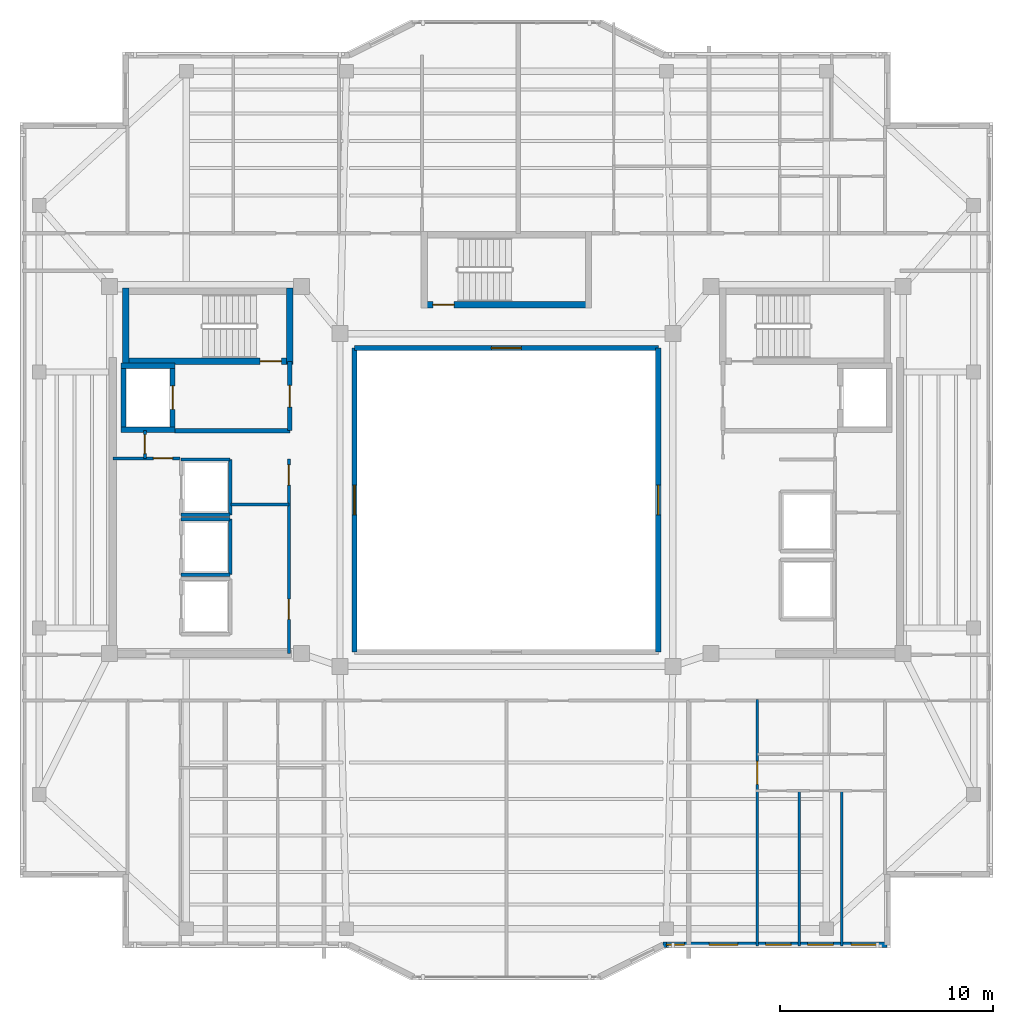
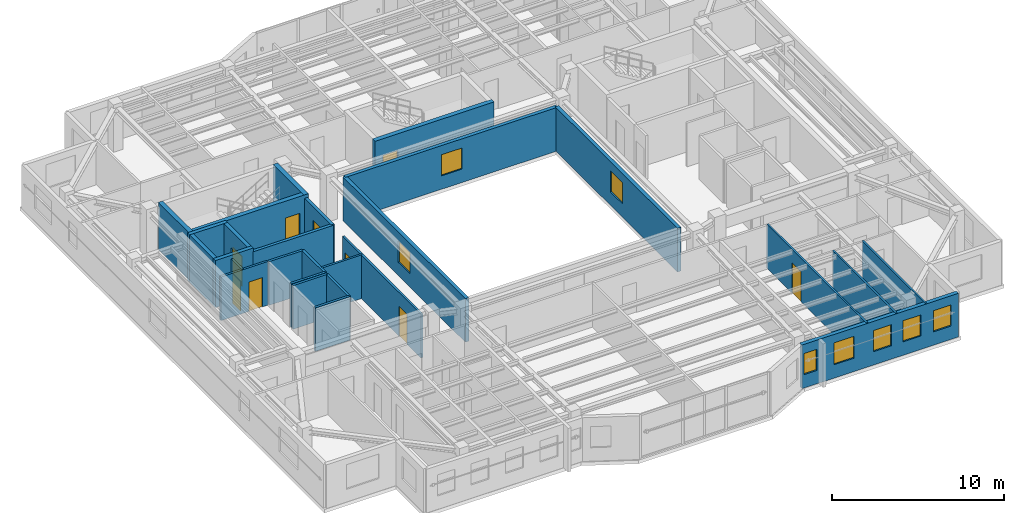
# One storey, part 7 of 14: 27 walls, 9 doors, 8 windows, 17 openings.
"""IFC4 building model written with IfcOpenShell, lengths in metres."""

import ifcopenshell
import ifcopenshell.guid

model = None  # the IFC model being written
_history = None  # IfcOwnerHistory: only IFC2X3 demands one
_inside = {}  # id of a spatial element -> (the spatial element, [elements in it])
_under = {}  # id of a project, library or spatial element -> (it, [spatial elements below it])
_declared = {}  # id of a project -> (the project, [libraries it declares])
_typed = {}  # id of a type object -> (the type object, [elements of that type])
_made_of = {}  # id of a material, layer set ... -> (it, [elements and type objects made of it])


def new_model(schema):
    """Start an empty IFC model of exactly this schema.

    Asked for "IFC4X3", IfcOpenShell would pick the latest addendum, in which some entities
    have other attributes; the version numbers below select the first issue.
    IFC2X3 requires an IfcOwnerHistory on every rooted entity: one is made here for all.
    """
    global model, _history
    if schema == "IFC4X3":
        model = ifcopenshell.file(schema_version=(4, 3, 0, 0))
    else:
        model = ifcopenshell.file(schema=schema)
    _inside.clear()
    _under.clear()
    _declared.clear()
    _typed.clear()
    _made_of.clear()
    _history = None
    if model.schema == "IFC2X3":
        org = make("IfcOrganization", Name="unknown")
        user = make(
            "IfcPersonAndOrganization",
            ThePerson=make("IfcPerson", FamilyName="unknown"),
            TheOrganization=org,
        )
        app = make(
            "IfcApplication",
            ApplicationDeveloper=org,
            Version="unknown",
            ApplicationFullName="unknown",
            ApplicationIdentifier="unknown",
        )
        _history = make(
            "IfcOwnerHistory",
            OwningUser=user,
            OwningApplication=app,
            ChangeAction="ADDED",
            CreationDate=0,
        )
    return model


def make(cls, **values):
    """One entity of the class cls with the attributes given. An attribute that is None is left unset."""
    return model.create_entity(
        cls, **{name: value for name, value in values.items() if value is not None}
    )


def rooted(cls, **values):
    """An entity with a GlobalId (a new one), such as an element, a storey or a relation."""
    return make(cls, GlobalId=ifcopenshell.guid.new(), OwnerHistory=_history, **values)


def si_unit(unit_type, name, prefix=None):
    """IfcSIUnit, for example si_unit("LENGTHUNIT", "METRE", prefix="MILLI")."""
    return make("IfcSIUnit", UnitType=unit_type, Prefix=prefix, Name=name)


def assignment(units):
    """IfcUnitAssignment: the units of a project."""
    return None if units is None else make("IfcUnitAssignment", Units=units)


def point(xyz):
    """IfcCartesianPoint."""
    return None if xyz is None else make("IfcCartesianPoint", Coordinates=xyz)


def direction(xyz):
    """IfcDirection."""
    return None if xyz is None else make("IfcDirection", DirectionRatios=xyz)


def frame(location, z_axis=None, x_axis=None):
    """IfcAxis2Placement3D, a coordinate frame: its origin and axes. An axis left out is left unset."""
    return make(
        "IfcAxis2Placement3D",
        Location=point(location),
        Axis=direction(z_axis),
        RefDirection=direction(x_axis),
    )


def frame_2d(location, x_axis=None):
    """IfcAxis2Placement2D, a coordinate frame in the plane: its origin and x axis."""
    return make(
        "IfcAxis2Placement2D", Location=point(location), RefDirection=direction(x_axis)
    )


def origin():
    """The frame at (0, 0, 0) with its axes left unset."""
    return frame((0.0, 0.0, 0.0))


def place(relative_to, where):
    """IfcLocalPlacement: puts the frame where relative to a parent placement (None: the world)."""
    return make(
        "IfcLocalPlacement", PlacementRelTo=relative_to, RelativePlacement=where
    )


def context(
    kind, dimensions, precision=None, world=None, true_north=None, identifier=None
):
    """IfcGeometricRepresentationContext, for example the 3D "Model" context."""
    return make(
        "IfcGeometricRepresentationContext",
        ContextIdentifier=identifier,
        ContextType=kind,
        CoordinateSpaceDimension=dimensions,
        Precision=precision,
        WorldCoordinateSystem=world,
        TrueNorth=true_north,
    )


def subcontext(parent, identifier, kind, view, scale=None):
    """IfcGeometricRepresentationSubContext, for example "Body" below "Model"."""
    return make(
        "IfcGeometricRepresentationSubContext",
        ContextIdentifier=identifier,
        ContextType=kind,
        ParentContext=parent,
        TargetScale=scale,
        TargetView=view,
    )


def project(units=None, contexts=None):
    """IfcProject with its units and contexts."""
    return rooted(
        "IfcProject",
        Name="project",
        RepresentationContexts=contexts,
        UnitsInContext=assignment(units),
    )


def spatial(cls, under=None, at=None, **own):
    """A site, building, storey or space (cls), placed at a placement, below another one or the project."""
    s = rooted(cls, ObjectPlacement=at, **own)
    if under is not None:
        _under.setdefault(under.id(), (under, []))[1].append(s)
    return s


def profile(cls, at=None, kind="AREA", **sizes):
    """A parametric profile (cls). Its sizes go by their IFC names, for example OverallWidth=200.0."""
    return make(cls, ProfileType=kind, Position=at, **sizes)


def rectangle(**sizes):
    """IfcRectangleProfileDef."""
    return profile("IfcRectangleProfileDef", **sizes)


def extrude(swept, where, along, depth):
    """IfcExtrudedAreaSolid: the profile swept, set in the frame where, extruded along a direction by depth."""
    return make(
        "IfcExtrudedAreaSolid",
        SweptArea=swept,
        Position=where,
        ExtrudedDirection=direction(along),
        Depth=depth,
    )


def shape(context_of_items, identifier, shape_type, items):
    """IfcShapeRepresentation: the items that make up one representation, for example the "Body"."""
    return make(
        "IfcShapeRepresentation",
        ContextOfItems=context_of_items,
        RepresentationIdentifier=identifier,
        RepresentationType=shape_type,
        Items=items,
    )


def material(Name=None, Category=None):
    """IfcMaterial."""
    return make("IfcMaterial", Name=Name, Category=Category)


def layer(
    of_material, thickness, ventilated=None, Name=None, Category=None, Priority=None
):
    """IfcMaterialLayer: one layer of a wall or slab, of a material (None: an air gap)."""
    return make(
        "IfcMaterialLayer",
        Material=of_material,
        LayerThickness=thickness,
        IsVentilated=ventilated,
        Name=Name,
        Category=Category,
        Priority=Priority,
    )


def layer_set(layers, Name=None):
    """IfcMaterialLayerSet."""
    return make("IfcMaterialLayerSet", MaterialLayers=layers, LayerSetName=Name)


def made_of(thing, what):
    """Note that an element or type object is made of a material, layer set ...; save() writes the relation."""
    if what is not None:
        _made_of.setdefault(what.id(), (what, []))[1].append(thing)
    return thing


def type_object(cls, material=None, **own):
    """A type object (cls), such as IfcWallType, which elements share."""
    return made_of(rooted(cls, **own), material)


def element(
    cls,
    number,
    at=None,
    inside=None,
    cuts=None,
    type_object=None,
    material=None,
    context=None,
    identifier="Body",
    shape_type=None,
    held_by="IfcProductDefinitionShape",
    body=None,
    shapes=None,
    **own,
):
    """One element of the class cls, such as IfcWall. Its Tag is "e" and its number.

    at: its placement. inside: the storey or other place that contains it. cuts: it is an
    opening in that element (IfcRelVoidsElement). A single representation is given by context,
    identifier, shape_type and body (its items); several are given by shapes. held_by: the class
    of the entity that holds the representations. save() writes the other relations.
    """
    e = rooted(cls, Tag="e%d" % number, ObjectPlacement=at, **own)
    if body is not None:
        shapes = [shape(context, identifier, shape_type, body)]
    if shapes is not None:
        e.Representation = make(held_by, Representations=shapes)
    if inside is not None:
        _inside.setdefault(inside.id(), (inside, []))[1].append(e)
    if cuts is not None:
        rooted(
            "IfcRelVoidsElement", RelatingBuildingElement=cuts, RelatedOpeningElement=e
        )
    if type_object is not None:
        _typed.setdefault(type_object.id(), (type_object, []))[1].append(e)
    return made_of(e, material)


def fill(opening, filler):
    """IfcRelFillsElement: the door or window that sits in an opening."""
    return rooted(
        "IfcRelFillsElement",
        RelatingOpeningElement=opening,
        RelatedBuildingElement=filler,
    )


def aggregate(whole, parts):
    """IfcRelAggregates: a whole, such as a stair, and the parts it consists of."""
    return rooted("IfcRelAggregates", RelatingObject=whole, RelatedObjects=parts)


def save(model, path):
    """Write the relations noted so far, then the file.

    IfcRelAggregates (storeys below a building ...), IfcRelContainedInSpatialStructure (elements
    in a storey), IfcRelDefinesByType, IfcRelAssociatesMaterial and IfcRelDeclares: one each for
    every whole, place, type object, material and project.
    """
    for whole, parts in _under.values():
        aggregate(whole, parts)
    for where, things in _inside.values():
        rooted(
            "IfcRelContainedInSpatialStructure",
            RelatedElements=things,
            RelatingStructure=where,
        )
    for kind, things in _typed.values():
        rooted("IfcRelDefinesByType", RelatedObjects=things, RelatingType=kind)
    for what, things in _made_of.values():
        rooted("IfcRelAssociatesMaterial", RelatedObjects=things, RelatingMaterial=what)
    for by, libraries in _declared.values():
        rooted("IfcRelDeclares", RelatingContext=by, RelatedDefinitions=libraries)
    model.write(path)


model = new_model("IFC4")

# Units and contexts
model_context = context("Model", 3, precision=1e-05, world=origin(), true_north=direction((0.0, 1.0)))
body_context = subcontext(model_context, "Body", "Model", "MODEL_VIEW")
ifc_project = project(units=[si_unit("LENGTHUNIT", "METRE"), si_unit("AREAUNIT", "SQUARE_METRE"), si_unit("VOLUMEUNIT", "CUBIC_METRE"), si_unit("PLANEANGLEUNIT", "RADIAN"), si_unit("MASSUNIT", "GRAM", prefix="KILO")], contexts=[model_context])

# Site, building, storey
site_placement = place(None, origin())
site = spatial("IfcSite", under=ifc_project, at=site_placement, CompositionType="ELEMENT")
building_placement = place(site_placement, origin())
building = spatial("IfcBuilding", under=site, at=building_placement, Name="Tarnavaz Court Tower", CompositionType="ELEMENT")
storey_placement = place(building_placement, frame((0.0, 0.0, 258.25)))
storey = spatial("IfcBuildingStorey", under=building, at=storey_placement, Name="L70", CompositionType="ELEMENT", Elevation=258.25)

# Wall
ifc_material_1 = material(Name="Concrete C50/60", Category="concrete")
ifc_layer_1 = layer(ifc_material_1, 0.25)
ifc_layer_set_1 = layer_set([ifc_layer_1], Name="Concrete C50/60")
wall_type_1 = type_object("IfcWallType", Name="WL-CORE-250-C50", PredefinedType="SHEAR", material=ifc_layer_set_1)
wall_1_placement = place(storey_placement, frame((-17.949951171875, 3.175048828125, 0.0), z_axis=(0.0, 0.0, 1.0), x_axis=(0.0, 1.0, 0.0)))
element("IfcWall", 1, at=wall_1_placement, inside=storey, type_object=wall_type_1, Name="L70 Lift FL-W1 Shaft Wall 017", PredefinedType="SHEAR", context=body_context, shape_type="SweptSolid", body=[
    extrude(rectangle(XDim=3.25, YDim=0.25, at=frame_2d((1.625, 0.0))), origin(), (0.0, 0.0, 1.0), 3.35009765625),
])

# Wall, opening, door
wall_2_placement = place(storey_placement, frame((-15.64990234375, 3.175048828125, 0.0), z_axis=(0.0, 0.0, 1.0), x_axis=(0.0, 1.0, 0.0)))
wall_2 = element("IfcWall", 2, at=wall_2_placement, inside=storey, type_object=wall_type_1, Name="L70 Lift FL-W1 Shaft Wall 018", PredefinedType="SHEAR", context=body_context, shape_type="SweptSolid", body=[
    extrude(rectangle(XDim=3.25, YDim=0.25, at=frame_2d((1.625, 0.0))), origin(), (0.0, 0.0, 1.0), 3.35009765625),
])
opening_1_placement = place(wall_2_placement, frame((1.074951171875, 0.0, 0.0)))
opening_1 = element("IfcOpeningElement", 3, at=opening_1_placement, cuts=wall_2, Name="Opening LD1", PredefinedType="OPENING", context=body_context, shape_type="SweptSolid", body=[
    extrude(rectangle(XDim=1.10009765625, YDim=2.14990234375, at=frame_2d((0.550048828125, 1.074951171875))), frame((0.0, 0.135009765625, 0.0), z_axis=(0.0, -1.0, 0.0), x_axis=(1.0, 0.0, 0.0)), (0.0, 0.0, 1.0), 0.27001953125),
])
ifc_material_2 = material(Name="Stainless Steel", Category="steel")
door_type_1 = type_object("IfcDoorType", Name="DR-LD-1100", OperationType="NOTDEFINED", PredefinedType="DOOR", material=ifc_material_2)
door_1_placement = place(opening_1_placement, origin())
door_1 = element("IfcDoor", 4, at=door_1_placement, inside=storey, type_object=door_type_1, Name="L70 Lift Landing Door LD-FL-W1", OperationType="SLIDING_TO_LEFT", OverallHeight=2.14990234375, OverallWidth=1.10009765625, PredefinedType="DOOR", context=body_context, shape_type="SweptSolid", body=[
    extrude(rectangle(XDim=1.10009765625, YDim=2.14990234375, at=frame_2d((0.550048828125, 1.074951171875))), frame((0.0, 0.02490234375, 0.0), z_axis=(0.0, -1.0, 0.0), x_axis=(1.0, 0.0, 0.0)), (0.0, 0.0, 1.0), 0.050048828125),
])
fill(opening_1, door_1)

# Walls
for number, where, z_axis, x_axis, name in (
    (5, (-18.074951171875, 3.300048828125, 0.0), (0.0, 0.0, 1.0), (1.0, 0.0, 0.0), "L70 Lift FL-W1 Shaft Wall 019"),
    (6, (-18.074951171875, 6.300048828125, 0.0), (0.0, 0.0, 1.0), (1.0, 0.0, 0.0), "L70 Lift FL-W1 Shaft Wall 020"),
):
    element("IfcWall", number, at=place(storey_placement, frame(where, z_axis=z_axis, x_axis=x_axis)), inside=storey, type_object=wall_type_1, Name=name, PredefinedType="SHEAR", context=body_context, shape_type="SweptSolid", body=[
        extrude(rectangle(XDim=2.550048828125, YDim=0.25, at=frame_2d((1.27490234375, 0.0))), origin(), (0.0, 0.0, 1.0), 3.35009765625),
    ])

# Wall, opening, door
ifc_layer_2 = layer(ifc_material_1, 0.300048828125)
ifc_layer_set_2 = layer_set([ifc_layer_2], Name="Concrete C50/60")
wall_type_2 = type_object("IfcWallType", Name="WL-CORE-300-C50", PredefinedType="SHEAR", material=ifc_layer_set_2)
wall_3_placement = place(storey_placement, frame((-18.0, 6.5, 0.0), z_axis=(0.0, 0.0, 1.0), x_axis=(1.0, 0.0, 0.0)))
wall_3 = element("IfcWall", 7, at=wall_3_placement, inside=storey, type_object=wall_type_2, Name="L70 West Stair Core Wall 002", PredefinedType="SHEAR", context=body_context, shape_type="SweptSolid", body=[
    extrude(rectangle(XDim=8.0, YDim=0.300048828125, at=frame_2d((4.0, 0.0))), origin(), (0.0, 0.0, 1.0), 3.35009765625),
])
opening_2_placement = place(wall_3_placement, frame((6.449951171875, 0.0, 0.0)))
opening_2 = element("IfcOpeningElement", 8, at=opening_2_placement, cuts=wall_3, Name="Opening D01", PredefinedType="OPENING", context=body_context, shape_type="SweptSolid", body=[
    extrude(rectangle(XDim=1.0, YDim=2.14990234375, at=frame_2d((0.5, 1.074951171875))), frame((0.0, 0.159912109375, 0.0), z_axis=(0.0, -1.0, 0.0), x_axis=(1.0, 0.0, 0.0)), (0.0, 0.0, 1.0), 0.320068359375),
])
ifc_material_3 = material(Name="Fire-Rated Hardwood Timber Core", Category="wood")
door_type_2 = type_object("IfcDoorType", Name="DR-FD90-1000", OperationType="NOTDEFINED", PredefinedType="DOOR", material=ifc_material_3)
door_2_placement = place(opening_2_placement, origin())
door_2 = element("IfcDoor", 9, at=door_2_placement, inside=storey, type_object=door_type_2, Name="L70 Stair ST-W1 Exit Door", OperationType="SINGLE_SWING_LEFT", OverallHeight=2.14990234375, OverallWidth=1.0, PredefinedType="DOOR", context=body_context, shape_type="SweptSolid", body=[
    extrude(rectangle(XDim=1.0, YDim=2.14990234375, at=frame_2d((0.5, 1.074951171875))), frame((0.0, 0.02490234375, 0.0), z_axis=(0.0, -1.0, 0.0), x_axis=(1.0, 0.0, 0.0)), (0.0, 0.0, 1.0), 0.050048828125),
])
fill(opening_2, door_2)

# Walls
for number, where, z_axis, x_axis, name in (
    (10, (-17.85009765625, 6.35009765625, 0.0), (0.0, 0.0, 1.0), (0.0, 1.0, 0.0), "L70 West Stair Core Wall 003"),
    (11, (-10.14990234375, 6.35009765625, 0.0), (0.0, 0.0, 1.0), (0.0, 1.0, 0.0), "L70 West Stair Core Wall 004"),
):
    element("IfcWall", number, at=place(storey_placement, frame(where, z_axis=z_axis, x_axis=x_axis)), inside=storey, type_object=wall_type_2, Name=name, PredefinedType="SHEAR", context=body_context, shape_type="SweptSolid", body=[
        extrude(rectangle(XDim=3.58984375, YDim=0.300048828125, at=frame_2d((1.794921875, 0.0))), origin(), (0.0, 0.0, 1.0), 3.35009765625),
    ])

# Wall, opening, door
wall_4_placement = place(storey_placement, frame((-4.0, 9.14990234375, 0.0), z_axis=(0.0, 0.0, 1.0), x_axis=(1.0, 0.0, 0.0)))
wall_4 = element("IfcWall", 12, at=wall_4_placement, inside=storey, type_object=wall_type_2, Name="L70 North Stair Core Wall 010", PredefinedType="SHEAR", context=body_context, shape_type="SweptSolid", body=[
    extrude(rectangle(XDim=8.0, YDim=0.300048828125, at=frame_2d((4.0, 0.0))), origin(), (0.0, 0.0, 1.0), 3.35009765625),
])
opening_3_placement = place(wall_4_placement, frame((0.550048828125, 0.0, 0.0)))
opening_3 = element("IfcOpeningElement", 13, at=opening_3_placement, cuts=wall_4, Name="Opening D01", PredefinedType="OPENING", context=body_context, shape_type="SweptSolid", body=[
    extrude(rectangle(XDim=1.0, YDim=2.14990234375, at=frame_2d((0.5, 1.074951171875))), frame((0.0, 0.159912109375, 0.0), z_axis=(0.0, -1.0, 0.0), x_axis=(1.0, 0.0, 0.0)), (0.0, 0.0, 1.0), 0.320068359375),
])
door_3_placement = place(opening_3_placement, origin())
door_3 = element("IfcDoor", 14, at=door_3_placement, inside=storey, type_object=door_type_2, Name="L70 Stair ST-N1 Exit Door", OperationType="SINGLE_SWING_LEFT", OverallHeight=2.14990234375, OverallWidth=1.0, PredefinedType="DOOR", context=body_context, shape_type="SweptSolid", body=[
    extrude(rectangle(XDim=1.0, YDim=2.14990234375, at=frame_2d((0.5, 1.074951171875))), frame((0.0, 0.02490234375, 0.0), z_axis=(0.0, -1.0, 0.0), x_axis=(1.0, 0.0, 0.0)), (0.0, 0.0, 1.0), 0.050048828125),
])
fill(opening_3, door_3)

# Wall, openings, windows
ifc_material_4 = material(Name="Precast Concrete C40/50", Category="concrete")
ifc_layer_3 = layer(ifc_material_4, 0.260009765625)
ifc_layer_set_3 = layer_set([ifc_layer_3], Name="Precast Concrete C40/50")
wall_type_3 = type_object("IfcWallType", Name="WL-EXT-260", PredefinedType="SOLIDWALL", material=ifc_layer_set_3)
wall_5_placement = place(storey_placement, frame((17.85009765625, -20.85009765625, 0.0), z_axis=(0.0, 0.0, 1.0), x_axis=(-1.0, 0.0, 0.0)))
wall_5 = element("IfcWall", 15, at=wall_5_placement, inside=storey, type_object=wall_type_3, Name="L70 Exterior Terracotta Facade Wall 15", PredefinedType="SOLIDWALL", context=body_context, shape_type="SweptSolid", body=[
    extrude(rectangle(XDim=10.5, YDim=0.260009765625, at=frame_2d((5.25, 0.0))), origin(), (0.0, 0.0, 1.0), 3.10009765625),
])
opening_4_placement = place(wall_5_placement, frame((0.488525390625, 0.0, 0.949951171875)))
opening_4 = element("IfcOpeningElement", 16, at=opening_4_placement, cuts=wall_5, Name="Opening W05", PredefinedType="OPENING", context=body_context, shape_type="SweptSolid", body=[
    extrude(rectangle(XDim=1.199951171875, YDim=1.5, at=frame_2d((0.60009765625, 0.75))), frame((0.0, 0.139892578125, 0.0), z_axis=(0.0, -1.0, 0.0), x_axis=(1.0, 0.0, 0.0)), (0.0, 0.0, 1.0), 0.280029296875),
])
opening_5_placement = place(wall_5_placement, frame((2.52490234375, 0.0, 0.949951171875)))
opening_5 = element("IfcOpeningElement", 17, at=opening_5_placement, cuts=wall_5, Name="Opening W05", PredefinedType="OPENING", context=body_context, shape_type="SweptSolid", body=[
    extrude(rectangle(XDim=1.199951171875, YDim=1.5, at=frame_2d((0.60009765625, 0.75))), frame((0.0, 0.139892578125, 0.0), z_axis=(0.0, -1.0, 0.0), x_axis=(1.0, 0.0, 0.0)), (0.0, 0.0, 1.0), 0.280029296875),
])
opening_6_placement = place(wall_5_placement, frame((4.50146484375, 0.0, 0.949951171875)))
opening_6 = element("IfcOpeningElement", 18, at=opening_6_placement, cuts=wall_5, Name="Opening W05", PredefinedType="OPENING", context=body_context, shape_type="SweptSolid", body=[
    extrude(rectangle(XDim=1.199951171875, YDim=1.5, at=frame_2d((0.60009765625, 0.75))), frame((0.0, 0.139892578125, 0.0), z_axis=(0.0, -1.0, 0.0), x_axis=(1.0, 0.0, 0.0)), (0.0, 0.0, 1.0), 0.280029296875),
])
opening_7_placement = place(wall_5_placement, frame((7.0, 0.0, 0.949951171875)))
opening_7 = element("IfcOpeningElement", 19, at=opening_7_placement, cuts=wall_5, Name="Opening W04", PredefinedType="OPENING", context=body_context, shape_type="SweptSolid", body=[
    extrude(rectangle(XDim=1.35009765625, YDim=1.550048828125, at=frame_2d((0.675048828125, 0.77490234375))), frame((0.0, 0.139892578125, 0.0), z_axis=(0.0, -1.0, 0.0), x_axis=(1.0, 0.0, 0.0)), (0.0, 0.0, 1.0), 0.280029296875),
])
opening_8_placement = place(wall_5_placement, frame((9.5048828125, 0.0, 0.949951171875)))
opening_8 = element("IfcOpeningElement", 20, at=opening_8_placement, cuts=wall_5, Name="Opening W15", PredefinedType="OPENING", context=body_context, shape_type="SweptSolid", body=[
    extrude(rectangle(XDim=0.85009765625, YDim=1.5, at=frame_2d((0.425048828125, 0.75))), frame((0.0, 0.139892578125, 0.0), z_axis=(0.0, -1.0, 0.0), x_axis=(1.0, 0.0, 0.0)), (0.0, 0.0, 1.0), 0.280029296875),
])
ifc_material_5 = material(Name="Double-Glazed Solar Low-E Glass", Category="glass")
window_type_1 = type_object("IfcWindowType", Name="WN-APT-1200", PartitioningType="SINGLE_PANEL", PredefinedType="WINDOW", material=ifc_material_5)
window_1_placement = place(opening_4_placement, origin())
window_1 = element("IfcWindow", 21, at=window_1_placement, inside=storey, type_object=window_type_1, Name="L70 Flat 05 Bedroom 3 Window", OverallHeight=1.5, OverallWidth=1.199951171875, PartitioningType="SINGLE_PANEL", PredefinedType="WINDOW", context=body_context, shape_type="SweptSolid", body=[
    extrude(rectangle(XDim=1.199951171875, YDim=1.5, at=frame_2d((0.60009765625, 0.75))), frame((0.0, 0.030029296875, 0.0), z_axis=(0.0, -1.0, 0.0), x_axis=(1.0, 0.0, 0.0)), (0.0, 0.0, 1.0), 0.06005859375),
])
fill(opening_4, window_1)
window_2_placement = place(opening_5_placement, origin())
window_2 = element("IfcWindow", 22, at=window_2_placement, inside=storey, type_object=window_type_1, Name="L70 Flat 05 Bedroom 2 Window", OverallHeight=1.5, OverallWidth=1.199951171875, PartitioningType="SINGLE_PANEL", PredefinedType="WINDOW", context=body_context, shape_type="SweptSolid", body=[
    extrude(rectangle(XDim=1.199951171875, YDim=1.5, at=frame_2d((0.60009765625, 0.75))), frame((0.0, 0.030029296875, 0.0), z_axis=(0.0, -1.0, 0.0), x_axis=(1.0, 0.0, 0.0)), (0.0, 0.0, 1.0), 0.06005859375),
])
fill(opening_5, window_2)
window_3_placement = place(opening_6_placement, origin())
window_3 = element("IfcWindow", 23, at=window_3_placement, inside=storey, type_object=window_type_1, Name="L70 Flat 05 Principal Bedroom Window", OverallHeight=1.5, OverallWidth=1.199951171875, PartitioningType="SINGLE_PANEL", PredefinedType="WINDOW", context=body_context, shape_type="SweptSolid", body=[
    extrude(rectangle(XDim=1.199951171875, YDim=1.5, at=frame_2d((0.60009765625, 0.75))), frame((0.0, 0.030029296875, 0.0), z_axis=(0.0, -1.0, 0.0), x_axis=(1.0, 0.0, 0.0)), (0.0, 0.0, 1.0), 0.06005859375),
])
fill(opening_6, window_3)
window_type_2 = type_object("IfcWindowType", Name="WN-APT-1350", PartitioningType="SINGLE_PANEL", PredefinedType="WINDOW", material=ifc_material_5)
window_4_placement = place(opening_7_placement, origin())
window_4 = element("IfcWindow", 24, at=window_4_placement, inside=storey, type_object=window_type_2, Name="L70 Flat 05 Living and Dining Room Window", OverallHeight=1.550048828125, OverallWidth=1.35009765625, PartitioningType="SINGLE_PANEL", PredefinedType="WINDOW", context=body_context, shape_type="SweptSolid", body=[
    extrude(rectangle(XDim=1.35009765625, YDim=1.550048828125, at=frame_2d((0.675048828125, 0.77490234375))), frame((0.0, 0.030029296875, 0.0), z_axis=(0.0, -1.0, 0.0), x_axis=(1.0, 0.0, 0.0)), (0.0, 0.0, 1.0), 0.06005859375),
])
fill(opening_7, window_4)
window_type_3 = type_object("IfcWindowType", Name="WN-APT-850", PartitioningType="SINGLE_PANEL", PredefinedType="WINDOW", material=ifc_material_5)
window_5_placement = place(opening_8_placement, origin())
window_5 = element("IfcWindow", 25, at=window_5_placement, inside=storey, type_object=window_type_3, Name="L70 South Courtyard Reading Room Window", OverallHeight=1.5, OverallWidth=0.85009765625, PartitioningType="SINGLE_PANEL", PredefinedType="WINDOW", context=body_context, shape_type="SweptSolid", body=[
    extrude(rectangle(XDim=0.85009765625, YDim=1.5, at=frame_2d((0.425048828125, 0.75))), frame((0.0, 0.030029296875, 0.0), z_axis=(0.0, -1.0, 0.0), x_axis=(1.0, 0.0, 0.0)), (0.0, 0.0, 1.0), 0.06005859375),
])
fill(opening_8, window_5)

# Wall
ifc_material_6 = material(Name="Autoclaved Aerated Concrete Blockwork", Category="masonry")
ifc_layer_4 = layer(ifc_material_6, 0.199951171875)
ifc_layer_set_4 = layer_set([ifc_layer_4], Name="Autoclaved Aerated Concrete Blockwork")
wall_type_4 = type_object("IfcWallType", Name="WL-FIRE-200", PredefinedType="SOLIDWALL", material=ifc_layer_set_4)
wall_6_placement = place(storey_placement, frame((-15.550048828125, 3.25, 0.0), z_axis=(0.0, 0.0, 1.0), x_axis=(1.0, 0.0, 0.0)))
element("IfcWall", 26, at=wall_6_placement, inside=storey, type_object=wall_type_4, Name="L70 West Firefighting Lobby Wall 013", PredefinedType="SOLIDWALL", context=body_context, shape_type="SweptSolid", body=[
    extrude(rectangle(XDim=5.400146484375, YDim=0.199951171875, at=frame_2d((2.7001953125, 0.0))), origin(), (0.0, 0.0, 1.0), 3.10009765625),
])

# Wall, opening, door
wall_7_placement = place(storey_placement, frame((-10.14990234375, 3.25, 0.0), z_axis=(0.0, 0.0, 1.0), x_axis=(0.0, 1.0, 0.0)))
wall_7 = element("IfcWall", 27, at=wall_7_placement, inside=storey, type_object=wall_type_4, Name="L70 West Firefighting Lobby Wall 014", PredefinedType="SOLIDWALL", context=body_context, shape_type="SweptSolid", body=[
    extrude(rectangle(XDim=3.25, YDim=0.199951171875, at=frame_2d((1.625, 0.0))), origin(), (0.0, 0.0, 1.0), 3.10009765625),
])
opening_9_placement = place(wall_7_placement, frame((1.10009765625, 0.0, 0.0)))
opening_9 = element("IfcOpeningElement", 28, at=opening_9_placement, cuts=wall_7, Name="Opening D05", PredefinedType="OPENING", context=body_context, shape_type="SweptSolid", body=[
    extrude(rectangle(XDim=1.02001953125, YDim=2.14990234375, at=frame_2d((0.510009765625, 1.074951171875))), frame((0.0, 0.10986328125, 0.0), z_axis=(0.0, -1.0, 0.0), x_axis=(1.0, 0.0, 0.0)), (0.0, 0.0, 1.0), 0.219970703125),
])
door_type_3 = type_object("IfcDoorType", Name="DR-FD60-1000", OperationType="NOTDEFINED", PredefinedType="DOOR", material=ifc_material_3)
door_4_placement = place(opening_9_placement, origin())
door_4 = element("IfcDoor", 29, at=door_4_placement, inside=storey, type_object=door_type_3, Name="L70 West Firefighting Lobby Door", OperationType="SINGLE_SWING_RIGHT", OverallHeight=2.14990234375, OverallWidth=1.02001953125, PredefinedType="DOOR", context=body_context, shape_type="SweptSolid", body=[
    extrude(rectangle(XDim=1.02001953125, YDim=2.14990234375, at=frame_2d((0.510009765625, 1.074951171875))), frame((0.0, 0.02490234375, 0.0), z_axis=(0.0, -1.0, 0.0), x_axis=(1.0, 0.0, 0.0)), (0.0, 0.0, 1.0), 0.050048828125),
])
fill(opening_9, door_4)

ifc_material_7 = material(Name="Moisture-Resistant Gypsum Board Partition", Category="masonry")
ifc_layer_5 = layer(ifc_material_7, 0.1201171875)
ifc_layer_set_5 = layer_set([ifc_layer_5], Name="Moisture-Resistant Gypsum Board Partition")
wall_type_5 = type_object("IfcWallType", Name="WL-PART-120", PredefinedType="PARTITIONING", material=ifc_layer_set_5)
wall_8_placement = place(storey_placement, frame((11.760009765625, -20.89990234375, 0.0), z_axis=(0.0, 0.0, 1.0), x_axis=(0.0, 1.0, 0.0)))
wall_8 = element("IfcWall", 30, at=wall_8_placement, inside=storey, type_object=wall_type_5, Name="L70 Interior Partition 082", PredefinedType="PARTITIONING", context=body_context, shape_type="SweptSolid", body=[
    extrude(rectangle(XDim=11.559814453125, YDim=0.1201171875, at=frame_2d((5.77978515625, 0.0))), origin(), (0.0, 0.0, 1.0), 3.10009765625),
])
opening_10_placement = place(wall_8_placement, frame((7.56494140625, 0.0, 0.0)))
opening_10 = element("IfcOpeningElement", 31, at=opening_10_placement, cuts=wall_8, Name="Opening D12", PredefinedType="OPENING", context=body_context, shape_type="SweptSolid", body=[
    extrude(rectangle(XDim=1.080078125, YDim=2.14990234375, at=frame_2d((0.5400390625, 1.074951171875))), frame((0.0, 0.070068359375, 0.0), z_axis=(0.0, -1.0, 0.0), x_axis=(1.0, 0.0, 0.0)), (0.0, 0.0, 1.0), 0.14013671875),
])
ifc_material_8 = material(Name="Engineered Oak Timber", Category="wood")
door_type_4 = type_object("IfcDoorType", Name="DR-INT-1100", OperationType="NOTDEFINED", PredefinedType="DOOR", material=ifc_material_8)
door_5_placement = place(opening_10_placement, origin())
door_5 = element("IfcDoor", 32, at=door_5_placement, inside=storey, type_object=door_type_4, Name="L70 Flat 05 Foyer Door", OperationType="SINGLE_SWING_LEFT", OverallHeight=2.14990234375, OverallWidth=1.080078125, PredefinedType="DOOR", context=body_context, shape_type="SweptSolid", body=[
    extrude(rectangle(XDim=1.080078125, YDim=2.14990234375, at=frame_2d((0.5400390625, 1.074951171875))), frame((0.0, 0.02490234375, 0.0), z_axis=(0.0, -1.0, 0.0), x_axis=(1.0, 0.0, 0.0)), (0.0, 0.0, 1.0), 0.050048828125),
])
fill(opening_10, door_5)

# Walls
for number, where, z_axis, x_axis, name in (
    (33, (13.737060546875, -20.89990234375, 0.0), (0.0, 0.0, 1.0), (0.0, 1.0, 0.0), "L70 Interior Partition 087"),
    (34, (15.712890625, -20.89990234375, 0.0), (0.0, 0.0, 1.0), (0.0, 1.0, 0.0), "L70 Interior Partition 088"),
):
    element("IfcWall", number, at=place(storey_placement, frame(where, z_axis=z_axis, x_axis=x_axis)), inside=storey, type_object=wall_type_5, Name=name, PredefinedType="PARTITIONING", context=body_context, shape_type="SweptSolid", body=[
        extrude(rectangle(XDim=7.33984375, YDim=0.1201171875, at=frame_2d((3.669921875, 0.0))), origin(), (0.0, 0.0, 1.0), 3.10009765625),
    ])

# Wall, opening, door
ifc_material_9 = material(Name="Gypsum Plasterboard Acoustic Partition", Category="masonry")
ifc_layer_6 = layer(ifc_material_9, 0.139892578125)
ifc_layer_set_6 = layer_set([ifc_layer_6], Name="Gypsum Plasterboard Acoustic Partition")
wall_type_6 = type_object("IfcWallType", Name="WL-PART-150", PredefinedType="PARTITIONING", material=ifc_layer_set_6)
wall_9_placement = place(storey_placement, frame((-18.449951171875, 1.949951171875, 0.0), z_axis=(0.0, 0.0, 1.0), x_axis=(1.0, 0.0, 0.0)))
wall_9 = element("IfcWall", 35, at=wall_9_placement, inside=storey, type_object=wall_type_6, Name="L70 Interior Partition 049", PredefinedType="PARTITIONING", context=body_context, shape_type="SweptSolid", body=[
    extrude(rectangle(XDim=3.14990234375, YDim=0.139892578125, at=frame_2d((1.574951171875, 0.0))), origin(), (0.0, 0.0, 1.0), 3.10009765625),
])
opening_11_placement = place(wall_9_placement, frame((1.89990234375, 0.0, 0.0)))
opening_11 = element("IfcOpeningElement", 36, at=opening_11_placement, cuts=wall_9, Name="Opening D09", PredefinedType="OPENING", context=body_context, shape_type="SweptSolid", body=[
    extrude(rectangle(XDim=0.89990234375, YDim=2.080078125, at=frame_2d((0.449951171875, 1.0400390625))), frame((0.0, 0.079833984375, 0.0), z_axis=(0.0, -1.0, 0.0), x_axis=(1.0, 0.0, 0.0)), (0.0, 0.0, 1.0), 0.159912109375),
])
door_type_5 = type_object("IfcDoorType", Name="DR-FD30-900", OperationType="NOTDEFINED", PredefinedType="DOOR", material=ifc_material_3)
door_6_placement = place(opening_11_placement, origin())
door_6 = element("IfcDoor", 37, at=door_6_placement, inside=storey, type_object=door_type_5, Name="L70 West Sky Store Door", OperationType="SINGLE_SWING_RIGHT", OverallHeight=2.080078125, OverallWidth=0.89990234375, PredefinedType="DOOR", context=body_context, shape_type="SweptSolid", body=[
    extrude(rectangle(XDim=0.89990234375, YDim=2.080078125, at=frame_2d((0.449951171875, 1.0400390625))), frame((0.0, 0.02490234375, 0.0), z_axis=(0.0, -1.0, 0.0), x_axis=(1.0, 0.0, 0.0)), (0.0, 0.0, 1.0), 0.050048828125),
])
fill(opening_11, door_6)

wall_10_placement = place(storey_placement, frame((-16.949951171875, 1.949951171875, 0.0), z_axis=(0.0, 0.0, 1.0), x_axis=(0.0, 1.0, 0.0)))
wall_10 = element("IfcWall", 38, at=wall_10_placement, inside=storey, type_object=wall_type_6, Name="L70 Interior Partition 050", PredefinedType="PARTITIONING", context=body_context, shape_type="SweptSolid", body=[
    extrude(rectangle(XDim=1.300048828125, YDim=0.139892578125, at=frame_2d((0.64990234375, 0.0))), origin(), (0.0, 0.0, 1.0), 3.10009765625),
])
opening_12_placement = place(wall_10_placement, frame((0.219970703125, 0.0, 0.0)))
opening_12 = element("IfcOpeningElement", 39, at=opening_12_placement, cuts=wall_10, Name="Opening D09", PredefinedType="OPENING", context=body_context, shape_type="SweptSolid", body=[
    extrude(rectangle(XDim=0.89990234375, YDim=2.080078125, at=frame_2d((0.449951171875, 1.0400390625))), frame((0.0, 0.079833984375, 0.0), z_axis=(0.0, -1.0, 0.0), x_axis=(1.0, 0.0, 0.0)), (0.0, 0.0, 1.0), 0.159912109375),
])
door_7_placement = place(opening_12_placement, origin())
door_7 = element("IfcDoor", 40, at=door_7_placement, inside=storey, type_object=door_type_5, Name="L70 West Sky BMS Room Door", OperationType="SINGLE_SWING_LEFT", OverallHeight=2.080078125, OverallWidth=0.89990234375, PredefinedType="DOOR", context=body_context, shape_type="SweptSolid", body=[
    extrude(rectangle(XDim=0.89990234375, YDim=2.080078125, at=frame_2d((0.449951171875, 1.0400390625))), frame((0.0, 0.02490234375, 0.0), z_axis=(0.0, -1.0, 0.0), x_axis=(1.0, 0.0, 0.0)), (0.0, 0.0, 1.0), 0.050048828125),
])
fill(opening_12, door_7)

# Wall, openings, doors
wall_11_placement = place(storey_placement, frame((-10.199951171875, -7.199951171875, 0.0), z_axis=(0.0, 0.0, 1.0), x_axis=(0.0, 1.0, 0.0)))
wall_11 = element("IfcWall", 41, at=wall_11_placement, inside=storey, type_object=wall_type_6, Name="L70 West Reclaimed Core Wall 051", PredefinedType="PARTITIONING", context=body_context, shape_type="SweptSolid", body=[
    extrude(rectangle(XDim=9.119873046875, YDim=0.139892578125, at=frame_2d((4.56005859375, 0.0))), origin(), (0.0, 0.0, 1.0), 3.10009765625),
])
opening_13_placement = place(wall_11_placement, frame((1.60009765625, 0.0, 0.0)))
opening_13 = element("IfcOpeningElement", 42, at=opening_13_placement, cuts=wall_11, Name="Opening D08", PredefinedType="OPENING", context=body_context, shape_type="SweptSolid", body=[
    extrude(rectangle(XDim=0.949951171875, YDim=2.1201171875, at=frame_2d((0.47509765625, 1.06005859375))), frame((0.0, 0.079833984375, 0.0), z_axis=(0.0, -1.0, 0.0), x_axis=(1.0, 0.0, 0.0)), (0.0, 0.0, 1.0), 0.159912109375),
])
opening_14_placement = place(wall_11_placement, frame((7.89990234375, 0.0, 0.0)))
opening_14 = element("IfcOpeningElement", 43, at=opening_14_placement, cuts=wall_11, Name="Opening D08", PredefinedType="OPENING", context=body_context, shape_type="SweptSolid", body=[
    extrude(rectangle(XDim=0.949951171875, YDim=2.1201171875, at=frame_2d((0.47509765625, 1.06005859375))), frame((0.0, 0.079833984375, 0.0), z_axis=(0.0, -1.0, 0.0), x_axis=(1.0, 0.0, 0.0)), (0.0, 0.0, 1.0), 0.159912109375),
])
door_type_6 = type_object("IfcDoorType", Name="DR-FD30-950", OperationType="NOTDEFINED", PredefinedType="DOOR", material=ifc_material_3)
door_8_placement = place(opening_13_placement, origin())
door_8 = element("IfcDoor", 44, at=door_8_placement, inside=storey, type_object=door_type_6, Name="L70 West Study Room Door", OperationType="SINGLE_SWING_RIGHT", OverallHeight=2.1201171875, OverallWidth=0.949951171875, PredefinedType="DOOR", context=body_context, shape_type="SweptSolid", body=[
    extrude(rectangle(XDim=0.949951171875, YDim=2.1201171875, at=frame_2d((0.47509765625, 1.06005859375))), frame((0.0, 0.02490234375, 0.0), z_axis=(0.0, -1.0, 0.0), x_axis=(1.0, 0.0, 0.0)), (0.0, 0.0, 1.0), 0.050048828125),
])
fill(opening_13, door_8)
door_9_placement = place(opening_14_placement, origin())
door_9 = element("IfcDoor", 45, at=door_9_placement, inside=storey, type_object=door_type_6, Name="L70 West Laundry Room Door", OperationType="SINGLE_SWING_LEFT", OverallHeight=2.1201171875, OverallWidth=0.949951171875, PredefinedType="DOOR", context=body_context, shape_type="SweptSolid", body=[
    extrude(rectangle(XDim=0.949951171875, YDim=2.1201171875, at=frame_2d((0.47509765625, 1.06005859375))), frame((0.0, 0.02490234375, 0.0), z_axis=(0.0, -1.0, 0.0), x_axis=(1.0, 0.0, 0.0)), (0.0, 0.0, 1.0), 0.050048828125),
])
fill(opening_14, door_9)

# Walls
wall_12_placement = place(storey_placement, frame((-12.89990234375, -0.199951171875, 0.0), z_axis=(0.0, 0.0, 1.0), x_axis=(1.0, 0.0, 0.0)))
element("IfcWall", 46, at=wall_12_placement, inside=storey, type_object=wall_type_6, Name="L70 Interior Partition 052", PredefinedType="PARTITIONING", context=body_context, shape_type="SweptSolid", body=[
    extrude(rectangle(XDim=2.699951171875, YDim=0.139892578125, at=frame_2d((1.35009765625, 0.0))), origin(), (0.0, 0.0, 1.0), 3.10009765625),
])
ifc_layer_7 = layer(ifc_material_6, 0.159912109375)
ifc_layer_set_7 = layer_set([ifc_layer_7], Name="Autoclaved Aerated Concrete Blockwork")
wall_type_7 = type_object("IfcWallType", Name="WL-SHAFT-150", PredefinedType="SOLIDWALL", material=ifc_layer_set_7)
wall_13_placement = place(storey_placement, frame((-12.949951171875, -3.5, 0.0), z_axis=(0.0, 0.0, 1.0), x_axis=(0.0, 1.0, 0.0)))
element("IfcWall", 47, at=wall_13_placement, inside=storey, type_object=wall_type_7, Name="L70 Lift PL-H2 Shaft Wall 026", PredefinedType="SOLIDWALL", context=body_context, shape_type="SweptSolid", body=[
    extrude(rectangle(XDim=2.60009765625, YDim=0.159912109375, at=frame_2d((1.300048828125, 0.0))), origin(), (0.0, 0.0, 1.0), 3.10009765625),
])
for number, where, z_axis, x_axis, name in (
    (48, (-15.25, -3.5, 0.0), (0.0, 0.0, 1.0), (1.0, 0.0, 0.0), "L70 Lift PL-H2 Shaft Wall 027"),
    (49, (-15.25, -0.89990234375, 0.0), (0.0, 0.0, 1.0), (1.0, 0.0, 0.0), "L70 Lift PL-H2 Shaft Wall 028"),
):
    element("IfcWall", number, at=place(storey_placement, frame(where, z_axis=z_axis, x_axis=x_axis)), inside=storey, type_object=wall_type_7, Name=name, PredefinedType="SOLIDWALL", context=body_context, shape_type="SweptSolid", body=[
        extrude(rectangle(XDim=2.300048828125, YDim=0.159912109375, at=frame_2d((1.14990234375, 0.0))), origin(), (0.0, 0.0, 1.0), 3.10009765625),
    ])
wall_14_placement = place(storey_placement, frame((-12.949951171875, -0.699951171875, 0.0), z_axis=(0.0, 0.0, 1.0), x_axis=(0.0, 1.0, 0.0)))
element("IfcWall", 50, at=wall_14_placement, inside=storey, type_object=wall_type_7, Name="L70 Lift PL-H3 Shaft Wall 030", PredefinedType="SOLIDWALL", context=body_context, shape_type="SweptSolid", body=[
    extrude(rectangle(XDim=2.599853515625, YDim=0.159912109375, at=frame_2d((1.2998046875, 0.0))), origin(), (0.0, 0.0, 1.0), 3.10009765625),
])
for number, where, z_axis, x_axis, name in (
    (51, (-15.25, -0.699951171875, 0.0), (0.0, 0.0, 1.0), (1.0, 0.0, 0.0), "L70 Lift PL-H3 Shaft Wall 031"),
    (52, (-15.25, 1.89990234375, 0.0), (0.0, 0.0, 1.0), (1.0, 0.0, 0.0), "L70 Lift PL-H3 Shaft Wall 032"),
):
    element("IfcWall", number, at=place(storey_placement, frame(where, z_axis=z_axis, x_axis=x_axis)), inside=storey, type_object=wall_type_7, Name=name, PredefinedType="SOLIDWALL", context=body_context, shape_type="SweptSolid", body=[
        extrude(rectangle(XDim=2.300048828125, YDim=0.159912109375, at=frame_2d((1.14990234375, 0.0))), origin(), (0.0, 0.0, 1.0), 3.10009765625),
    ])

# Wall, opening, window
ifc_layer_8 = layer(ifc_material_4, 0.239990234375)
ifc_layer_set_8 = layer_set([ifc_layer_8], Name="Precast Concrete C40/50")
wall_type_8 = type_object("IfcWallType", Name="WL-WELL-240", PredefinedType="SOLIDWALL", material=ifc_layer_set_8)
wall_15_placement = place(storey_placement, frame((7.1201171875, -7.1201171875, 0.0), z_axis=(0.0, 0.0, 1.0), x_axis=(0.0, 1.0, 0.0)))
wall_15 = element("IfcWall", 53, at=wall_15_placement, inside=storey, type_object=wall_type_8, Name="L70 Badgir Light-Well Exterior Wall E", PredefinedType="SOLIDWALL", context=body_context, shape_type="SweptSolid", body=[
    extrude(rectangle(XDim=14.240234375, YDim=0.239990234375, at=frame_2d((7.1201171875, 0.0))), origin(), (0.0, 0.0, 1.0), 3.10009765625),
])
opening_15_placement = place(wall_15_placement, frame((6.419921875, 0.0, 0.949951171875)))
opening_15 = element("IfcOpeningElement", 54, at=opening_15_placement, cuts=wall_15, Name="Opening W13", PredefinedType="OPENING", context=body_context, shape_type="SweptSolid", body=[
    extrude(rectangle(XDim=1.39990234375, YDim=1.5, at=frame_2d((0.699951171875, 0.75))), frame((0.0, 0.1298828125, 0.0), z_axis=(0.0, -1.0, 0.0), x_axis=(1.0, 0.0, 0.0)), (0.0, 0.0, 1.0), 0.260009765625),
])
window_type_4 = type_object("IfcWindowType", Name="WN-WEL-1400", PartitioningType="SINGLE_PANEL", PredefinedType="WINDOW", material=ifc_material_5)
window_6_placement = place(opening_15_placement, origin())
window_6 = element("IfcWindow", 55, at=window_6_placement, inside=storey, type_object=window_type_4, Name="L70 Courtyard Gallery Window E", OverallHeight=1.5, OverallWidth=1.39990234375, PartitioningType="SINGLE_PANEL", PredefinedType="WINDOW", context=body_context, shape_type="SweptSolid", body=[
    extrude(rectangle(XDim=1.39990234375, YDim=1.5, at=frame_2d((0.699951171875, 0.75))), frame((0.0, 0.030029296875, 0.0), z_axis=(0.0, -1.0, 0.0), x_axis=(1.0, 0.0, 0.0)), (0.0, 0.0, 1.0), 0.06005859375),
])
fill(opening_15, window_6)

wall_16_placement = place(storey_placement, frame((7.1201171875, 7.1201171875, 0.0), z_axis=(0.0, 0.0, 1.0), x_axis=(-1.0, 0.0, 0.0)))
wall_16 = element("IfcWall", 56, at=wall_16_placement, inside=storey, type_object=wall_type_8, Name="L70 Badgir Light-Well Exterior Wall N", PredefinedType="SOLIDWALL", context=body_context, shape_type="SweptSolid", body=[
    extrude(rectangle(XDim=14.240234375, YDim=0.239990234375, at=frame_2d((7.1201171875, 0.0))), origin(), (0.0, 0.0, 1.0), 3.10009765625),
])
opening_16_placement = place(wall_16_placement, frame((6.419921875, 0.0, 0.949951171875)))
opening_16 = element("IfcOpeningElement", 57, at=opening_16_placement, cuts=wall_16, Name="Opening W13", PredefinedType="OPENING", context=body_context, shape_type="SweptSolid", body=[
    extrude(rectangle(XDim=1.39990234375, YDim=1.5, at=frame_2d((0.699951171875, 0.75))), frame((0.0, 0.1298828125, 0.0), z_axis=(0.0, -1.0, 0.0), x_axis=(1.0, 0.0, 0.0)), (0.0, 0.0, 1.0), 0.260009765625),
])
window_7_placement = place(opening_16_placement, origin())
window_7 = element("IfcWindow", 58, at=window_7_placement, inside=storey, type_object=window_type_4, Name="L70 Courtyard Gallery Window N", OverallHeight=1.5, OverallWidth=1.39990234375, PartitioningType="SINGLE_PANEL", PredefinedType="WINDOW", context=body_context, shape_type="SweptSolid", body=[
    extrude(rectangle(XDim=1.39990234375, YDim=1.5, at=frame_2d((0.699951171875, 0.75))), frame((0.0, 0.030029296875, 0.0), z_axis=(0.0, -1.0, 0.0), x_axis=(1.0, 0.0, 0.0)), (0.0, 0.0, 1.0), 0.06005859375),
])
fill(opening_16, window_7)

wall_17_placement = place(storey_placement, frame((-7.1201171875, 7.1201171875, 0.0), z_axis=(0.0, 0.0, 1.0), x_axis=(0.0, -1.0, 0.0)))
wall_17 = element("IfcWall", 59, at=wall_17_placement, inside=storey, type_object=wall_type_8, Name="L70 Badgir Light-Well Exterior Wall W", PredefinedType="SOLIDWALL", context=body_context, shape_type="SweptSolid", body=[
    extrude(rectangle(XDim=14.240234375, YDim=0.239990234375, at=frame_2d((7.1201171875, 0.0))), origin(), (0.0, 0.0, 1.0), 3.10009765625),
])
opening_17_placement = place(wall_17_placement, frame((6.419921875, 0.0, 0.949951171875)))
opening_17 = element("IfcOpeningElement", 60, at=opening_17_placement, cuts=wall_17, Name="Opening W13", PredefinedType="OPENING", context=body_context, shape_type="SweptSolid", body=[
    extrude(rectangle(XDim=1.39990234375, YDim=1.5, at=frame_2d((0.699951171875, 0.75))), frame((0.0, 0.1298828125, 0.0), z_axis=(0.0, -1.0, 0.0), x_axis=(1.0, 0.0, 0.0)), (0.0, 0.0, 1.0), 0.260009765625),
])
window_8_placement = place(opening_17_placement, origin())
window_8 = element("IfcWindow", 61, at=window_8_placement, inside=storey, type_object=window_type_4, Name="L70 Courtyard Gallery Window W", OverallHeight=1.5, OverallWidth=1.39990234375, PartitioningType="SINGLE_PANEL", PredefinedType="WINDOW", context=body_context, shape_type="SweptSolid", body=[
    extrude(rectangle(XDim=1.39990234375, YDim=1.5, at=frame_2d((0.699951171875, 0.75))), frame((0.0, 0.030029296875, 0.0), z_axis=(0.0, -1.0, 0.0), x_axis=(1.0, 0.0, 0.0)), (0.0, 0.0, 1.0), 0.06005859375),
])
fill(opening_17, window_8)

save(model, "model.ifc")
